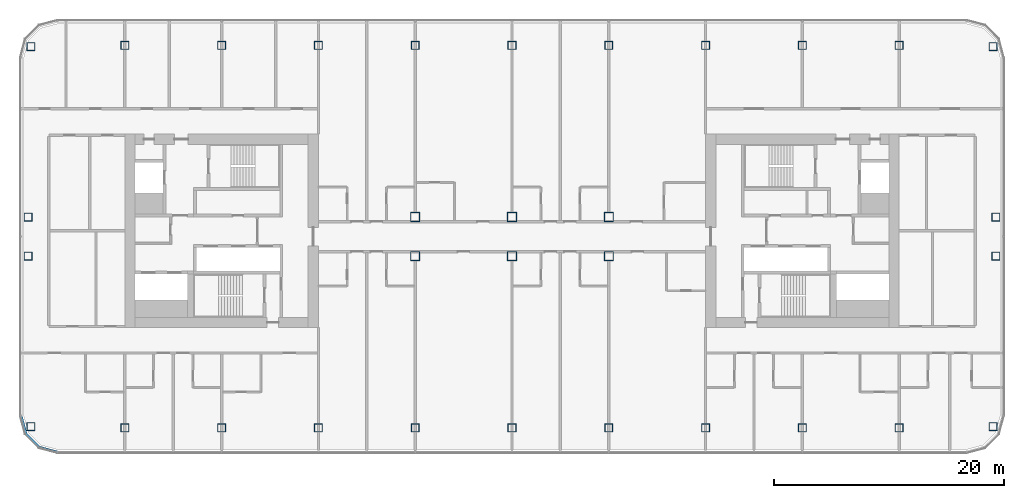
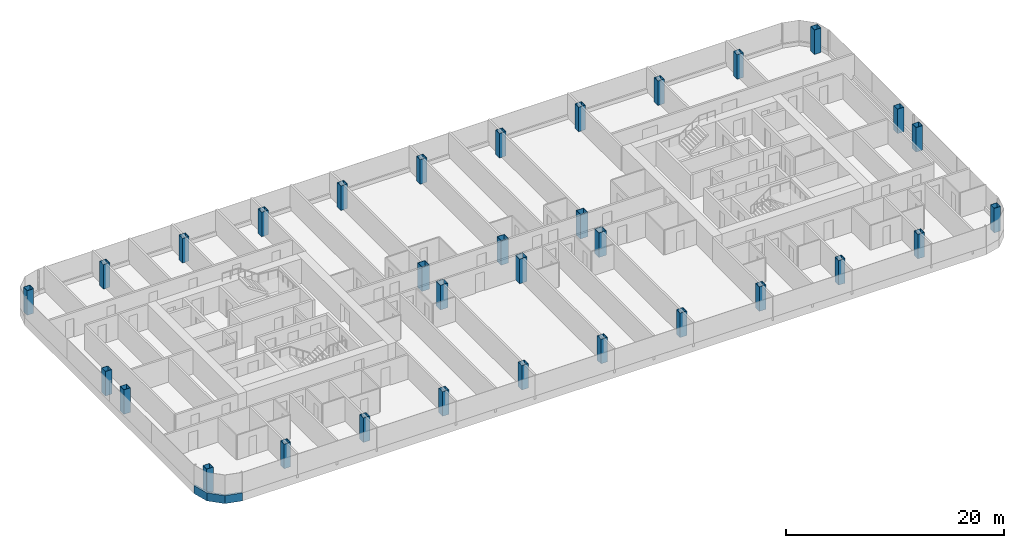
# One storey, part 1 of 26: 32 columns, 1 member, 1 element without a shape of its own.
"""IFC4 building model written with IfcOpenShell, lengths in metres."""

from ifc_helpers import new_model, si_unit, direction, frame, origin, origin_2d, place, context, subcontext, project, spatial, polyline, rectangle, hollow_rectangle, outline, extrude, material, layer, layer_set, material_profile, profile_set, type_object, element, aggregate, save


model = new_model("IFC4")

# Units and contexts
model_context = context("Model", 3, precision=1e-05, world=origin(), true_north=direction((0.0, 1.0)))
body_context = subcontext(model_context, "Body", "Model", "MODEL_VIEW")
ifc_project = project(units=[si_unit("LENGTHUNIT", "METRE"), si_unit("AREAUNIT", "SQUARE_METRE"), si_unit("VOLUMEUNIT", "CUBIC_METRE"), si_unit("PLANEANGLEUNIT", "RADIAN"), si_unit("MASSUNIT", "GRAM", prefix="KILO")], contexts=[model_context])

# Site, building, storey
site_placement = place(None, origin())
site = spatial("IfcSite", under=ifc_project, at=site_placement, CompositionType="ELEMENT")
building_placement = place(site_placement, origin())
building = spatial("IfcBuilding", under=site, at=building_placement, Name="Hakoniwa Tower and Hamabe Station Hall", CompositionType="ELEMENT")
storey_placement = place(building_placement, frame((0.0, 0.0, 140.60009765625)))
storey = spatial("IfcBuildingStorey", under=building, at=storey_placement, Name="L39", CompositionType="ELEMENT", Elevation=140.60009765625)

# Columns
ifc_material_1 = material(Name="Steel SN490C", Category="steel")
ifc_material_profile_1 = material_profile(ifc_material_1, hollow_rectangle(XDim=0.699951171875, YDim=0.699951171875, WallThickness=0.028076171875, at=origin_2d()), Name="BX-700x700x28")
ifc_profile_set_1 = profile_set([ifc_material_profile_1], Name="Steel SN490C")
column_type_1 = type_object("IfcColumnType", Name="COLUMN BX-700x700x28", PredefinedType="COLUMN", material=ifc_profile_set_1)
for number, where, z_axis, x_axis, name in (
    (1, (-41.74853515625, -16.99365234375, 0.0), (0.0, 0.0, 1.0), (1.0, 0.0, 0.0), "Column B3-2-A3"),
    (2, (-42.0, -2.199951171875, 0.0), (0.0, 0.0, 1.0), (1.0, 0.0, 0.0), "Column B3-2-C3"),
    (3, (-42.0, 1.199951171875, 0.0), (0.0, 0.0, 1.0), (1.0, 0.0, 0.0), "Column B3-2-D3"),
    (4, (-41.74853515625, 15.99365234375, 0.0), (0.0, 0.0, 1.0), (1.0, 0.0, 0.0), "Column B3-2-F3"),
    (5, (-33.60009765625, -17.10009765625, 0.0), (0.0, 0.0, 1.0), (1.0, 0.0, 0.0), "Column B3-3-A3"),
    (6, (-33.60009765625, 16.10009765625, 0.0), (0.0, 0.0, 1.0), (1.0, 0.0, 0.0), "Column B3-3-F3"),
    (7, (-25.199951171875, -17.10009765625, 0.0), (0.0, 0.0, 1.0), (1.0, 0.0, 0.0), "Column B3-4-A3"),
    (8, (-25.199951171875, 16.10009765625, 0.0), (0.0, 0.0, 1.0), (1.0, 0.0, 0.0), "Column B3-4-F3"),
    (9, (-16.800048828125, -17.10009765625, 0.0), (0.0, 0.0, 1.0), (1.0, 0.0, 0.0), "Column B3-5-A3"),
    (10, (-16.800048828125, 16.10009765625, 0.0), (0.0, 0.0, 1.0), (1.0, 0.0, 0.0), "Column B3-5-F3"),
    (11, (-8.39990234375, -17.10009765625, 0.0), (0.0, 0.0, 1.0), (1.0, 0.0, 0.0), "Column B3-6-A3"),
    (12, (-8.39990234375, 16.10009765625, 0.0), (0.0, 0.0, 1.0), (1.0, 0.0, 0.0), "Column B3-6-F3"),
    (13, (0.0, -17.10009765625, 0.0), (0.0, 0.0, 1.0), (1.0, 0.0, 0.0), "Column B3-7-A3"),
    (14, (0.0, 16.10009765625, 0.0), (0.0, 0.0, 1.0), (1.0, 0.0, 0.0), "Column B3-7-F3"),
    (15, (8.39990234375, -17.10009765625, 0.0), (0.0, 0.0, 1.0), (1.0, 0.0, 0.0), "Column B3-8-A3"),
    (16, (8.39990234375, 16.10009765625, 0.0), (0.0, 0.0, 1.0), (1.0, 0.0, 0.0), "Column B3-8-F3"),
    (17, (16.800048828125, -17.10009765625, 0.0), (0.0, 0.0, 1.0), (1.0, 0.0, 0.0), "Column B3-9-A3"),
    (18, (16.800048828125, 16.10009765625, 0.0), (0.0, 0.0, 1.0), (1.0, 0.0, 0.0), "Column B3-9-F3"),
    (19, (25.199951171875, -17.10009765625, 0.0), (0.0, 0.0, 1.0), (1.0, 0.0, 0.0), "Column B3-10-A3"),
    (20, (25.199951171875, 16.10009765625, 0.0), (0.0, 0.0, 1.0), (1.0, 0.0, 0.0), "Column B3-10-F3"),
    (21, (33.60009765625, -17.10009765625, 0.0), (0.0, 0.0, 1.0), (1.0, 0.0, 0.0), "Column B3-11-A3"),
    (22, (33.60009765625, 16.10009765625, 0.0), (0.0, 0.0, 1.0), (1.0, 0.0, 0.0), "Column B3-11-F3"),
    (23, (41.74853515625, -16.99365234375, 0.0), (0.0, 0.0, 1.0), (1.0, 0.0, 0.0), "Column B3-12-A3"),
    (24, (42.0, -2.199951171875, 0.0), (0.0, 0.0, 1.0), (1.0, 0.0, 0.0), "Column B3-12-C3"),
    (25, (42.0, 1.199951171875, 0.0), (0.0, 0.0, 1.0), (1.0, 0.0, 0.0), "Column B3-12-D3"),
    (26, (41.74853515625, 15.99365234375, 0.0), (0.0, 0.0, 1.0), (1.0, 0.0, 0.0), "Column B3-12-F3"),
):
    element("IfcColumn", number, at=place(storey_placement, frame(where, z_axis=z_axis, x_axis=x_axis)), inside=storey, type_object=column_type_1, Name=name, PredefinedType="COLUMN", context=body_context, shape_type="SweptSolid", body=[
        extrude(hollow_rectangle(XDim=0.699951171875, YDim=0.699951171875, WallThickness=0.028076171875, at=origin_2d()), origin(), (0.0, 0.0, 1.0), 2.75),
    ])
ifc_material_2 = material(Name="Steel SN490C", Category="steel")
ifc_material_profile_2 = material_profile(ifc_material_2, hollow_rectangle(XDim=0.800048828125, YDim=0.800048828125, WallThickness=0.031982421875, at=origin_2d()), Name="BX-800x800x32")
ifc_profile_set_2 = profile_set([ifc_material_profile_2], Name="Steel SN490C")
column_type_2 = type_object("IfcColumnType", Name="COLUMN BX-800x800x32", PredefinedType="COLUMN", material=ifc_profile_set_2)
for number, where, z_axis, x_axis, name in (
    (27, (-8.39990234375, -2.199951171875, 0.0), (0.0, 0.0, 1.0), (1.0, 0.0, 0.0), "Column B3-6-C3"),
    (28, (-8.39990234375, 1.199951171875, 0.0), (0.0, 0.0, 1.0), (1.0, 0.0, 0.0), "Column B3-6-D3"),
    (29, (0.0, -2.199951171875, 0.0), (0.0, 0.0, 1.0), (1.0, 0.0, 0.0), "Column B3-7-C3"),
    (30, (0.0, 1.199951171875, 0.0), (0.0, 0.0, 1.0), (1.0, 0.0, 0.0), "Column B3-7-D3"),
    (31, (8.39990234375, -2.199951171875, 0.0), (0.0, 0.0, 1.0), (1.0, 0.0, 0.0), "Column B3-8-C3"),
    (32, (8.39990234375, 1.199951171875, 0.0), (0.0, 0.0, 1.0), (1.0, 0.0, 0.0), "Column B3-8-D3"),
):
    element("IfcColumn", number, at=place(storey_placement, frame(where, z_axis=z_axis, x_axis=x_axis)), inside=storey, type_object=column_type_2, Name=name, PredefinedType="COLUMN", context=body_context, shape_type="SweptSolid", body=[
        extrude(hollow_rectangle(XDim=0.800048828125, YDim=0.800048828125, WallThickness=0.031982421875, at=origin_2d()), origin(), (0.0, 0.0, 1.0), 2.75),
    ])

# Curtain wall, member
ifc_material_3 = material(Name="Dark low-e laminated glass", Category="glass")
ifc_layer = layer(ifc_material_3, 0.199951171875)
ifc_layer_set = layer_set([ifc_layer], Name="CW-1 UNITISED GUEST")
curtain_wall_type = type_object("IfcCurtainWallType", Name="CW-1 UNITISED GUEST", PredefinedType="NOTDEFINED", material=ifc_layer_set)
curtain_wall_placement = place(storey_placement, origin())
curtain_wall = element("IfcCurtainWall", 33, at=curtain_wall_placement, inside=storey, type_object=curtain_wall_type, Name="CW-1 curtain wall", PredefinedType="NOTDEFINED")
ifc_material_4 = material(Name="Aluminium 6063-T5 black anodised", Category="aluminium")
ifc_material_profile_3 = material_profile(ifc_material_4, rectangle(XDim=0.199951171875, YDim=0.89990234375, at=origin_2d()), Name="CW SLAB-EDGE BAND 900X200")
ifc_profile_set_3 = profile_set([ifc_material_profile_3], Name="Aluminium 6063-T5 black anodised")
member_type = type_object("IfcMemberType", Name="CW SLAB-EDGE BAND 900X200", PredefinedType="USERDEFINED", material=ifc_profile_set_3)
member_placement = place(storey_placement, frame((0.0, 0.0, -0.550048828125)))
member = element("IfcMember", 34, at=member_placement, type_object=member_type, Name="CW-1 transom", ObjectType="TRANSOM", PredefinedType="USERDEFINED", context=body_context, shape_type="SweptSolid", body=[
    extrude(outline(polyline([(-42.699951171875, -16.03955078125), (-42.26708984375, -17.6552734375), (-41.05517578125, -18.866943359375), (-39.439453125, -19.300048828125), (-39.3876953125, -19.10693359375), (-40.95166015625, -18.687744140625), (-42.087646484375, -17.5517578125), (-42.5068359375, -15.98779296875), (-42.699951171875, -16.03955078125)])), origin(), (0.0, 0.0, 1.0), 0.89990234375),
])
aggregate(curtain_wall, [member])

save(model, "model.ifc")
